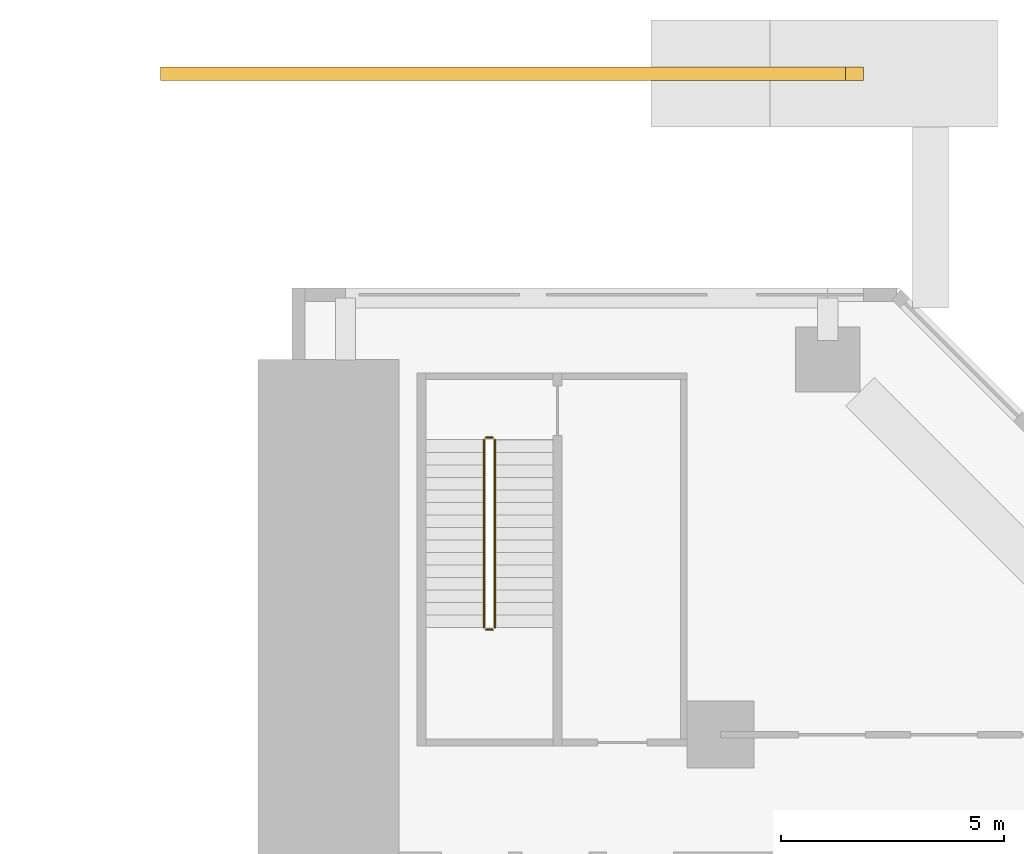
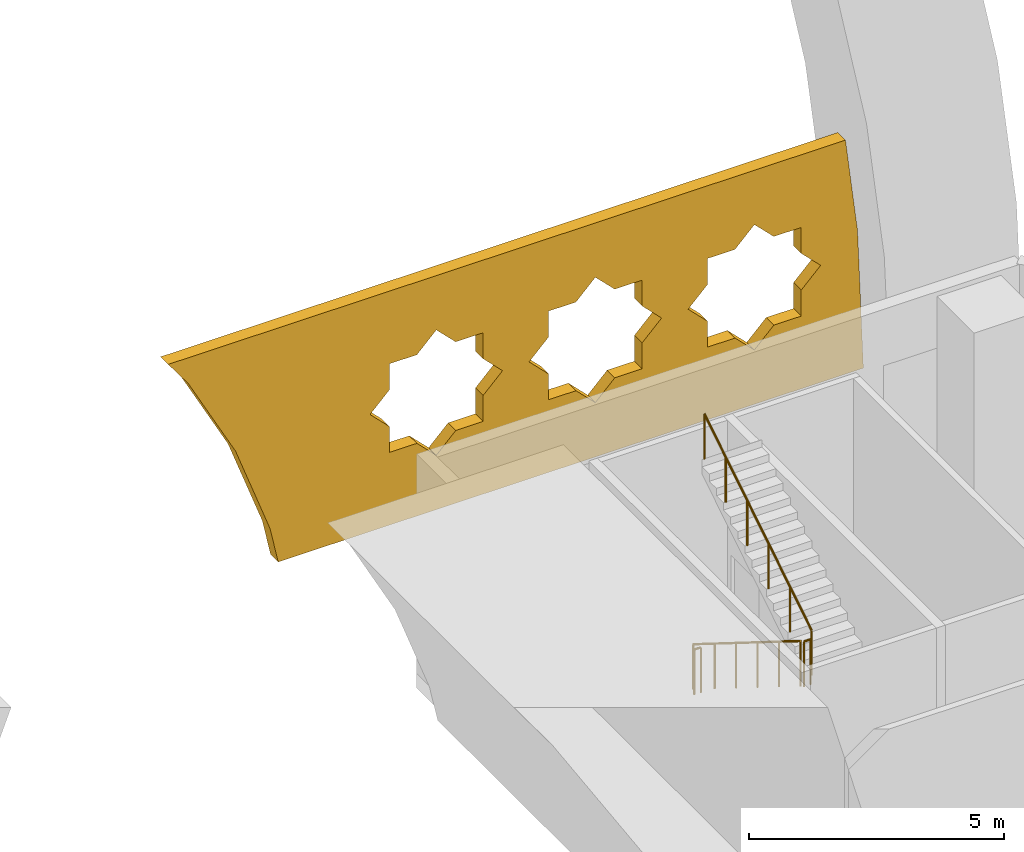
# One storey, part 19 of 19: 4 railings, 1 covering.
"""IFC4 building model written with IfcOpenShell, lengths in metres."""

from ifc_helpers import new_model, si_unit, direction, frame, origin, origin_2d, place, context, subcontext, project, spatial, polyline, circle, outline, extrude, material, layer, layer_set, type_object, element, save


model = new_model("IFC4")

# Units and contexts
model_context = context("Model", 3, precision=1e-05, world=origin(), true_north=direction((0.0, 1.0)))
body_context = subcontext(model_context, "Body", "Model", "MODEL_VIEW")
ifc_project = project(units=[si_unit("LENGTHUNIT", "METRE"), si_unit("AREAUNIT", "SQUARE_METRE"), si_unit("VOLUMEUNIT", "CUBIC_METRE"), si_unit("PLANEANGLEUNIT", "RADIAN"), si_unit("MASSUNIT", "GRAM", prefix="KILO")], contexts=[model_context])

# Site, building, storey
site_placement = place(None, origin())
site = spatial("IfcSite", under=ifc_project, at=site_placement, CompositionType="ELEMENT")
building_placement = place(site_placement, origin())
building = spatial("IfcBuilding", under=site, at=building_placement, Name="Kawkab Arch Medical Tower", CompositionType="ELEMENT")
storey_placement = place(building_placement, frame((0.0, 0.0, 12.60009765625)))
storey = spatial("IfcBuildingStorey", under=building, at=storey_placement, Name="L03", CompositionType="ELEMENT", Elevation=12.60009765625)

# Covering
ifc_material_1 = material(Name="Perforated bronze anodised aluminium, eight-point star pattern", Category="aluminium")
ifc_layer = layer(ifc_material_1, 0.300048828125)
ifc_layer_set = layer_set([ifc_layer], Name="Perforated bronze anodised aluminium, eight-point star pattern")
covering_type = type_object("IfcCoveringType", Name="Spandrel star screen 300", PredefinedType="USERDEFINED", material=ifc_layer_set)
covering_placement = place(storey_placement, frame((0.0, 6.550048828125, -12.60009765625), z_axis=(0.0, -1.0, 0.0), x_axis=(1.0, 0.0, 0.0)))
element("IfcCovering", 1, at=covering_placement, inside=storey, type_object=covering_type, Name="Spandrel screen N 2.2", ObjectType="SCREEN", PredefinedType="USERDEFINED", context=body_context, shape_type="SweptSolid", body=[
    extrude(outline(polyline([(86.79248046875, 18.199951171875), (71.46240234375, 18.199951171875), (71.916015625, 17.5830078125), (72.986083984375, 15.591064453125), (73.76611328125, 13.468017578125), (73.952392578125, 12.60009765625), (87.19873046875, 12.60009765625), (87.064697265625, 15.94970703125), (86.79248046875, 18.199951171875)]), holes=[polyline([(79.030517578125, 15.39990234375), (78.59130859375, 15.83935546875), (78.59130859375, 16.460693359375), (77.969970703125, 16.460693359375), (77.530517578125, 16.89990234375), (77.09130859375, 16.460693359375), (76.469970703125, 16.460693359375), (76.469970703125, 15.83935546875), (76.030517578125, 15.39990234375), (76.469970703125, 14.960693359375), (76.469970703125, 14.33935546875), (77.09130859375, 14.33935546875), (77.530517578125, 13.89990234375), (77.969970703125, 14.33935546875), (78.59130859375, 14.33935546875), (78.59130859375, 14.960693359375), (79.030517578125, 15.39990234375)]), polyline([(82.630615234375, 15.39990234375), (82.19140625, 15.83935546875), (82.19140625, 16.460693359375), (81.570068359375, 16.460693359375), (81.130615234375, 16.89990234375), (80.69140625, 16.460693359375), (80.070068359375, 16.460693359375), (80.070068359375, 15.83935546875), (79.630615234375, 15.39990234375), (80.070068359375, 14.960693359375), (80.070068359375, 14.33935546875), (80.69140625, 14.33935546875), (81.130615234375, 13.89990234375), (81.570068359375, 14.33935546875), (82.19140625, 14.33935546875), (82.19140625, 14.960693359375), (82.630615234375, 15.39990234375)]), polyline([(86.230712890625, 15.39990234375), (85.791259765625, 15.83935546875), (85.791259765625, 16.460693359375), (85.169921875, 16.460693359375), (84.730712890625, 16.89990234375), (84.291259765625, 16.460693359375), (83.669921875, 16.460693359375), (83.669921875, 15.83935546875), (83.230712890625, 15.39990234375), (83.669921875, 14.960693359375), (83.669921875, 14.33935546875), (84.291259765625, 14.33935546875), (84.730712890625, 13.89990234375), (85.169921875, 14.33935546875), (85.791259765625, 14.33935546875), (85.791259765625, 14.960693359375), (86.230712890625, 15.39990234375)])]), origin(), (0.0, 0.0, 1.0), 0.300048828125),
])

# Railings
ifc_material_2 = material(Name="Stainless steel", Category="steel")
railing_type = type_object("IfcRailingType", Name="Stair guard 1100", PredefinedType="GUARDRAIL", material=ifc_material_2)
railing_1_placement = place(storey_placement, frame((78.699951171875, -1.800048828125, 0.1748046875)))
element("IfcRailing", 2, at=railing_1_placement, inside=storey, type_object=railing_type, Name="L03 ST7 stair guard 1", PredefinedType="GUARDRAIL", context=body_context, shape_type="SweptSolid", body=[
    extrude(circle(Radius=0.02392578125, at=origin_2d()), frame((0.0, 0.0, 1.076171875), z_axis=(0.0, -0.847995534698, 0.530003370869), x_axis=(1.0, 0.0, 0.0)), (0.0, 0.0, 1.0), 4.952880859375),
    extrude(circle(Radius=0.02099609375, at=origin_2d()), origin(), (0.0, 0.0, 1.0), 1.052001953125),
    extrude(circle(Radius=0.02099609375, at=origin_2d()), frame((0.0, -0.840087890625, 0.52490234375)), (0.0, 0.0, 1.0), 1.052001953125),
    extrude(circle(Radius=0.02099609375, at=origin_2d()), frame((0.0, -1.679931640625, 1.050048828125)), (0.0, 0.0, 1.0), 1.052001953125),
    extrude(circle(Radius=0.02099609375, at=origin_2d()), frame((0.0, -2.52001953125, 1.574951171875)), (0.0, 0.0, 1.0), 1.052001953125),
    extrude(circle(Radius=0.02099609375, at=origin_2d()), frame((0.0, -3.35986328125, 2.10009765625)), (0.0, 0.0, 1.0), 1.052001953125),
    extrude(circle(Radius=0.02099609375, at=origin_2d()), frame((0.0, -4.199951171875, 2.625)), (0.0, 0.0, 1.0), 1.052001953125),
])
railing_2_placement = place(storey_placement, frame((78.75, -6.050048828125, 2.7998046875)))
element("IfcRailing", 3, at=railing_2_placement, inside=storey, type_object=railing_type, Name="L03 ST7 stair guard 2", PredefinedType="GUARDRAIL", context=body_context, shape_type="SweptSolid", body=[
    extrude(circle(Radius=0.02392578125, at=origin_2d()), frame((0.0, 0.0, 1.076171875), z_axis=(1.0, 0.0, 0.0), x_axis=(0.0, 1.0, 0.0)), (0.0, 0.0, 1.0), 0.14990234375),
    extrude(circle(Radius=0.02099609375, at=origin_2d()), origin(), (0.0, 0.0, 1.0), 1.052001953125),
    extrude(circle(Radius=0.02099609375, at=origin_2d()), frame((0.14990234375, 0.0, 0.0)), (0.0, 0.0, 1.0), 1.052001953125),
])
railing_3_placement = place(storey_placement, frame((78.949951171875, -6.0, 2.974853515625)))
element("IfcRailing", 4, at=railing_3_placement, inside=storey, type_object=railing_type, Name="L03 ST7 stair guard 3", PredefinedType="GUARDRAIL", context=body_context, shape_type="SweptSolid", body=[
    extrude(circle(Radius=0.02392578125, at=origin_2d()), frame((0.0, 0.0, 1.076171875), z_axis=(0.0, 0.847995534698, 0.530003370869), x_axis=(-1.0, 0.0, 0.0)), (0.0, 0.0, 1.0), 4.952880859375),
    extrude(circle(Radius=0.02099609375, at=origin_2d()), origin(), (0.0, 0.0, 1.0), 1.052001953125),
    extrude(circle(Radius=0.02099609375, at=origin_2d()), frame((0.0, 0.840087890625, 0.52490234375)), (0.0, 0.0, 1.0), 1.052001953125),
    extrude(circle(Radius=0.02099609375, at=origin_2d()), frame((0.0, 1.679931640625, 1.050048828125)), (0.0, 0.0, 1.0), 1.052001953125),
    extrude(circle(Radius=0.02099609375, at=origin_2d()), frame((0.0, 2.52001953125, 1.574951171875)), (0.0, 0.0, 1.0), 1.052001953125),
    extrude(circle(Radius=0.02099609375, at=origin_2d()), frame((0.0, 3.35986328125, 2.10009765625)), (0.0, 0.0, 1.0), 1.052001953125),
    extrude(circle(Radius=0.02099609375, at=origin_2d()), frame((0.0, 4.199951171875, 2.625)), (0.0, 0.0, 1.0), 1.052001953125),
])
railing_4_placement = place(storey_placement, frame((78.75, -1.75, 0.0)))
element("IfcRailing", 5, at=railing_4_placement, inside=storey, type_object=railing_type, Name="L03 ST7 stair guard 4", PredefinedType="GUARDRAIL", context=body_context, shape_type="SweptSolid", body=[
    extrude(circle(Radius=0.02392578125, at=origin_2d()), frame((0.0, 0.0, 1.076171875), z_axis=(1.0, 0.0, 0.0), x_axis=(0.0, 1.0, 0.0)), (0.0, 0.0, 1.0), 0.14990234375),
    extrude(circle(Radius=0.02099609375, at=origin_2d()), origin(), (0.0, 0.0, 1.0), 1.052001953125),
    extrude(circle(Radius=0.02099609375, at=origin_2d()), frame((0.14990234375, 0.0, 0.0)), (0.0, 0.0, 1.0), 1.052001953125),
])

save(model, "model.ifc")
